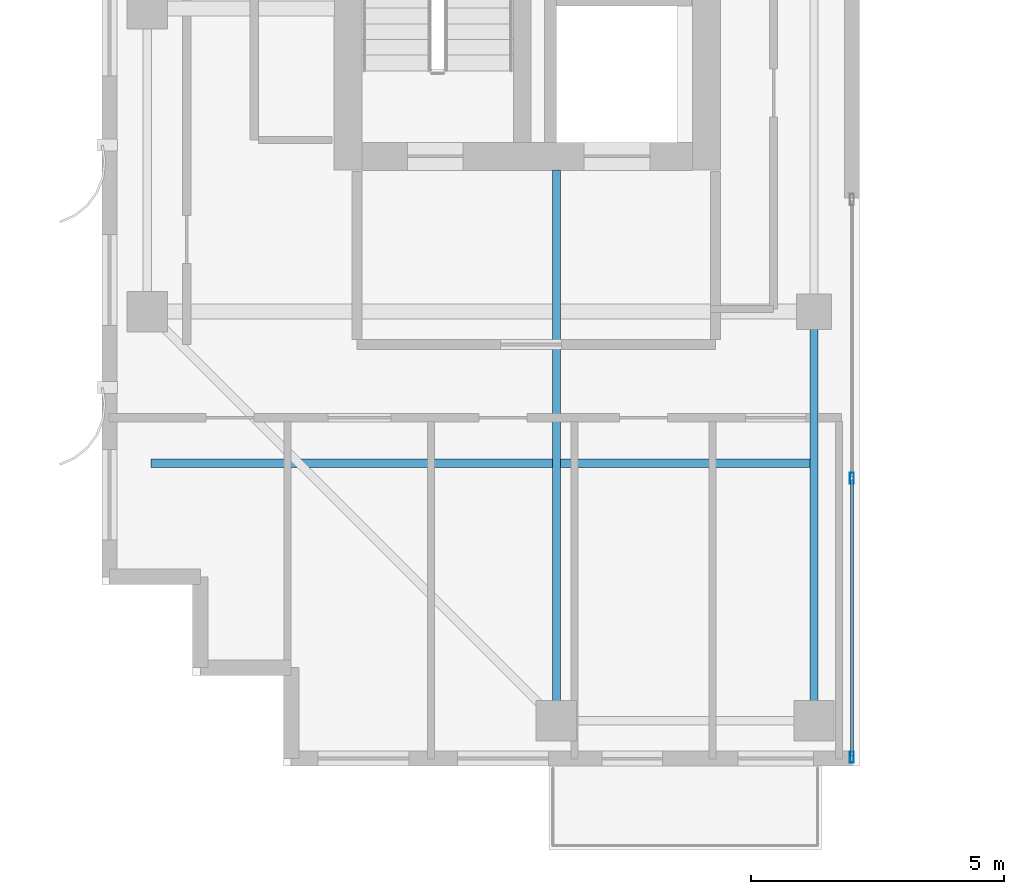
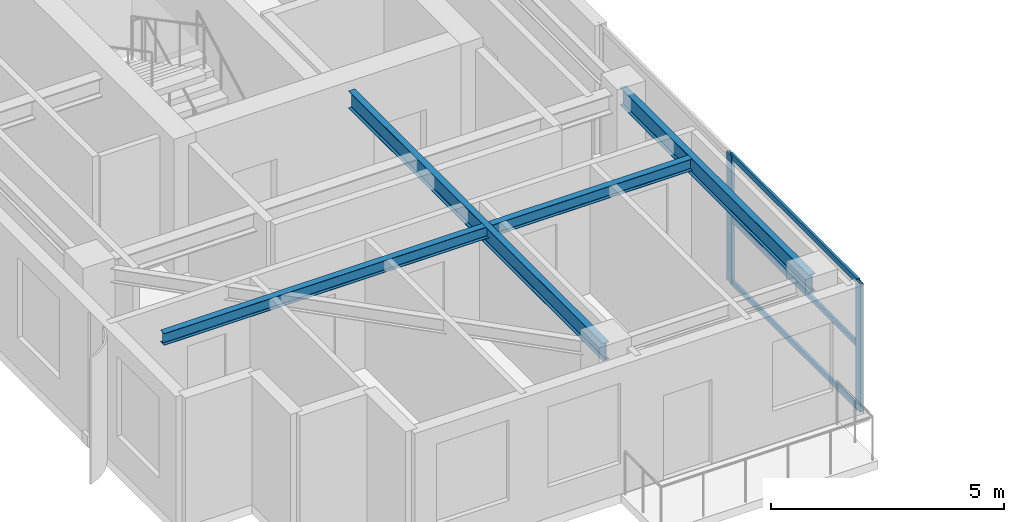
# One storey, part 2 of 23: 5 members, 3 beams, 1 element without a shape of its own.
"""IFC4 building model written with IfcOpenShell, lengths in metres."""

from ifc_helpers import new_model, si_unit, direction, frame, origin, origin_2d, place, context, subcontext, project, spatial, hollow_rectangle, i_section, extrude, source, transform, mapped, material, layer, layer_set, material_profile, profile_set, type_object, element, aggregate, save


model = new_model("IFC4")

# Units and contexts
model_context = context("Model", 3, precision=1e-05, world=origin(), true_north=direction((0.0, 1.0)))
body_context = subcontext(model_context, "Body", "Model", "MODEL_VIEW")
ifc_project = project(units=[si_unit("LENGTHUNIT", "METRE"), si_unit("AREAUNIT", "SQUARE_METRE"), si_unit("VOLUMEUNIT", "CUBIC_METRE"), si_unit("PLANEANGLEUNIT", "RADIAN"), si_unit("MASSUNIT", "GRAM", prefix="KILO")], contexts=[model_context])

# Site, building, storey
site_placement = place(None, origin())
site = spatial("IfcSite", under=ifc_project, at=site_placement, CompositionType="ELEMENT")
building_placement = place(site_placement, origin())
building = spatial("IfcBuilding", under=site, at=building_placement, Name="Khoralis Quay Care Tower", CompositionType="ELEMENT")
storey_placement = place(building_placement, frame((0.0, 0.0, 245.699951171875)))
storey = spatial("IfcBuildingStorey", under=building, at=storey_placement, Name="L64", CompositionType="ELEMENT", Elevation=245.699951171875)

# Beams
ifc_material_1 = material(Name="Steel S355", Category="steel")
ifc_material_profile_1 = material_profile(ifc_material_1, i_section(OverallWidth=0.1650390625, OverallDepth=0.31005859375, WebThickness=0.005859375, FlangeThickness=0.009765625, FilletRadius=0.011962890625, at=origin_2d()), Name="Steel S355")
ifc_profile_set_1 = profile_set([ifc_material_profile_1], Name="Steel S355")
beam_type_1 = type_object("IfcBeamType", Name="BM-W310X39", PredefinedType="JOIST", material=ifc_profile_set_1)
shared_shape_1 = source(origin(), body_context, "Body", "SweptSolid", [
    extrude(i_section(OverallWidth=0.1650390625, OverallDepth=0.31005859375, WebThickness=0.005859375, FlangeThickness=0.009765625, FilletRadius=0.011962890625, at=origin_2d()), origin(), (0.0, 0.0, 1.0), 13.06396484375),
])
beam_1_placement = place(storey_placement, frame((3.970947265625, 9.0, 3.205078125), z_axis=(1.0, 0.0, 0.0), x_axis=(0.0, 1.0, 0.0)))
element("IfcBeam", 1, at=beam_1_placement, inside=storey, type_object=beam_type_1, Name="BM-TJS-L64-17", PredefinedType="JOIST", context=body_context, shape_type="MappedRepresentation", body=[
    mapped(shared_shape_1, transform((0.0, 0.0, 0.0), scale=1.0)),
])
ifc_material_profile_2 = material_profile(ifc_material_1, i_section(OverallWidth=0.154052734375, OverallDepth=0.458984375, WebThickness=0.009033203125, FlangeThickness=0.015380859375, FilletRadius=0.014892578125, at=origin_2d()), Name="Steel S355")
ifc_profile_set_2 = profile_set([ifc_material_profile_2], Name="Steel S355")
beam_type_2 = type_object("IfcBeamType", Name="BM-W460X68", PredefinedType="BEAM", material=ifc_profile_set_2)
shared_shape_2 = source(origin(), body_context, "Body", "SweptSolid", [
    extrude(i_section(OverallWidth=0.154052734375, OverallDepth=0.458984375, WebThickness=0.009033203125, FlangeThickness=0.015380859375, FilletRadius=0.014892578125, at=origin_2d()), origin(), (0.0, 0.0, 1.0), 10.902099609375),
])
beam_2_placement = place(storey_placement, frame((12.0, 3.89990234375, 3.130615234375), z_axis=(0.0, 1.0, 0.0), x_axis=(-1.0, 0.0, 0.0)))
element("IfcBeam", 2, at=beam_2_placement, inside=storey, type_object=beam_type_2, Name="BM-TGYS-L64-120", PredefinedType="BEAM", context=body_context, shape_type="MappedRepresentation", body=[
    mapped(shared_shape_2, transform((0.0, 0.0, 0.0), scale=1.0)),
])
shared_shape_3 = source(origin(), body_context, "Body", "SweptSolid", [
    extrude(i_section(OverallWidth=0.154052734375, OverallDepth=0.458984375, WebThickness=0.009033203125, FlangeThickness=0.015380859375, FilletRadius=0.014892578125, at=origin_2d()), origin(), (0.0, 0.0, 1.0), 8.10009765625),
])
beam_3_placement = place(storey_placement, frame((17.10009765625, 3.89990234375, 3.130615234375), z_axis=(0.0, 1.0, 0.0), x_axis=(-1.0, 0.0, 0.0)))
element("IfcBeam", 3, at=beam_3_placement, inside=storey, type_object=beam_type_2, Name="BM-TGYS-L64-171", PredefinedType="BEAM", context=body_context, shape_type="MappedRepresentation", body=[
    mapped(shared_shape_3, transform((0.0, 0.0, 0.0), scale=1.0)),
])

# Curtain wall, members
ifc_material_2 = material(Name="Pale anodised aluminium", Category="aluminium")
ifc_layer = layer(ifc_material_2, 0.18994140625)
ifc_layer_set = layer_set([ifc_layer], Name="Pale anodised aluminium")
curtain_wall_type = type_object("IfcCurtainWallType", Name="CW-SYS-PORTAL", PredefinedType="NOTDEFINED", material=ifc_layer_set)
curtain_wall_placement = place(storey_placement, origin())
curtain_wall = element("IfcCurtainWall", 4, at=curtain_wall_placement, inside=storey, type_object=curtain_wall_type, Name="L64 Unitised Curtain Wall CW-VP-L64-P1-S", PredefinedType="NOTDEFINED")
ifc_material_profile_3 = material_profile(ifc_material_2, hollow_rectangle(XDim=0.074951171875, YDim=0.219970703125, WallThickness=0.00390625, at=origin_2d()), Name="Pale anodised aluminium")
ifc_profile_set_3 = profile_set([ifc_material_profile_3], Name="Pale anodised aluminium")
member_type_1 = type_object("IfcMemberType", Name="CW-MUL-220", PredefinedType="MULLION", material=ifc_profile_set_3)
shared_shape_4 = source(origin(), body_context, "Body", "SweptSolid", [
    extrude(hollow_rectangle(XDim=0.074951171875, YDim=0.219970703125, WallThickness=0.00390625, at=origin_2d()), origin(), (0.0, 0.0, 1.0), 3.360107421875),
])
member_1_placement = place(storey_placement, frame((17.85009765625, 3.179931640625, 0.0), z_axis=(0.0, 0.0, 1.0), x_axis=(-1.0, 0.0, 0.0)))
member_1 = element("IfcMember", 5, at=member_1_placement, type_object=member_type_1, Name="CW4 mullion 1", PredefinedType="MULLION", context=body_context, shape_type="MappedRepresentation", body=[
    mapped(shared_shape_4, transform((0.0, 0.0, 0.0), scale=1.0)),
])
member_2_placement = place(storey_placement, frame((17.85009765625, 8.699951171875, 0.0), z_axis=(0.0, 0.0, 1.0), x_axis=(-1.0, 0.0, 0.0)))
member_2 = element("IfcMember", 6, at=member_2_placement, type_object=member_type_1, Name="CW4 mullion 2", PredefinedType="MULLION", context=body_context, shape_type="MappedRepresentation", body=[
    mapped(shared_shape_4, transform((0.0, 0.0, 0.0), scale=1.0)),
])
ifc_material_profile_4 = material_profile(ifc_material_2, hollow_rectangle(XDim=0.06005859375, YDim=0.139892578125, WallThickness=0.00390625, at=origin_2d()), Name="Pale anodised aluminium")
ifc_profile_set_4 = profile_set([ifc_material_profile_4], Name="Pale anodised aluminium")
member_type_2 = type_object("IfcMemberType", Name="CW-TRN-140", PredefinedType="USERDEFINED", material=ifc_profile_set_4)
shared_shape_5 = source(origin(), body_context, "Body", "SweptSolid", [
    extrude(hollow_rectangle(XDim=0.06005859375, YDim=0.139892578125, WallThickness=0.00390625, at=origin_2d()), origin(), (0.0, 0.0, 1.0), 5.4599609375),
])
member_3_placement = place(storey_placement, frame((17.85009765625, 3.2099609375, 0.030029296875), z_axis=(0.0, 1.0, 0.0), x_axis=(-1.0, 0.0, 0.0)))
member_3 = element("IfcMember", 7, at=member_3_placement, type_object=member_type_2, Name="CW4 transom 1.1", ObjectType="TRANSOM", PredefinedType="USERDEFINED", context=body_context, shape_type="MappedRepresentation", body=[
    mapped(shared_shape_5, transform((0.0, 0.0, 0.0), scale=1.0)),
])
member_4_placement = place(storey_placement, frame((17.85009765625, 3.2099609375, 1.679931640625), z_axis=(0.0, 1.0, 0.0), x_axis=(-1.0, 0.0, 0.0)))
member_4 = element("IfcMember", 8, at=member_4_placement, type_object=member_type_2, Name="CW4 transom 1.2", ObjectType="TRANSOM", PredefinedType="USERDEFINED", context=body_context, shape_type="MappedRepresentation", body=[
    mapped(shared_shape_5, transform((0.0, 0.0, 0.0), scale=1.0)),
])
member_5_placement = place(storey_placement, frame((17.85009765625, 3.2099609375, 3.330078125), z_axis=(0.0, 1.0, 0.0), x_axis=(-1.0, 0.0, 0.0)))
member_5 = element("IfcMember", 9, at=member_5_placement, type_object=member_type_2, Name="CW4 transom 1.3", ObjectType="TRANSOM", PredefinedType="USERDEFINED", context=body_context, shape_type="MappedRepresentation", body=[
    mapped(shared_shape_5, transform((0.0, 0.0, 0.0), scale=1.0)),
])
aggregate(curtain_wall, [member_1, member_2, member_3, member_4, member_5])

save(model, "model.ifc")
